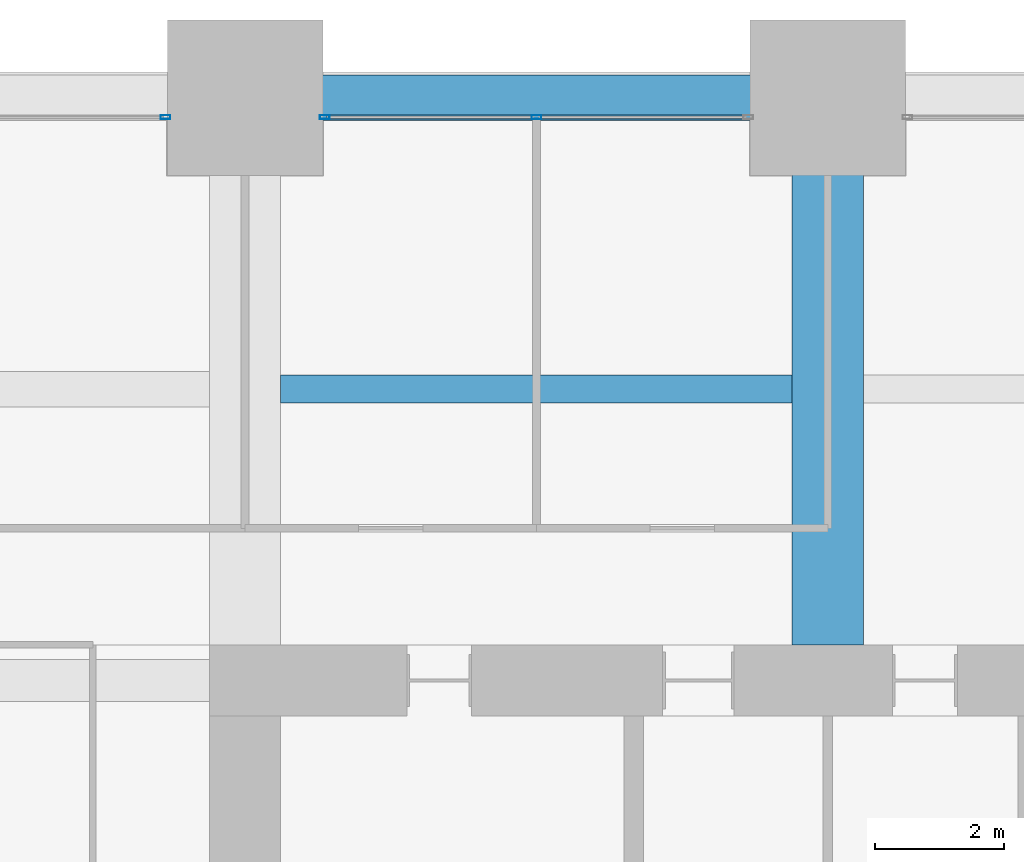
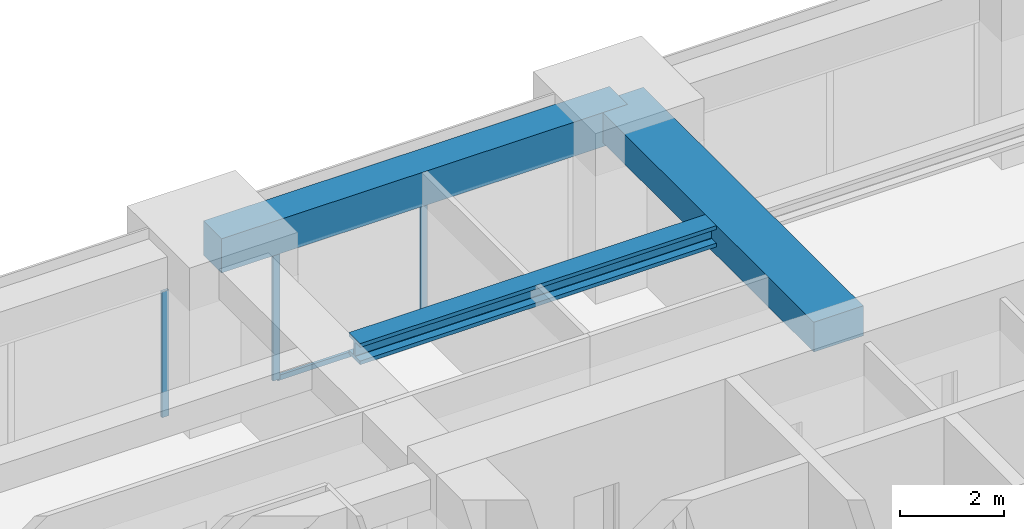
# One storey, part 28 of 41: 4 members, 3 beams, 2 elements without a shape of their own.
"""IFC4 building model written with IfcOpenShell, lengths in metres."""

from ifc_helpers import new_model, si_unit, direction, frame, origin, origin_2d, place, context, subcontext, project, spatial, rectangle, hollow_rectangle, i_section, extrude, material, material_profile, profile_set, type_object, element, aggregate, save


model = new_model("IFC4")

# Units and contexts
model_context = context("Model", 3, precision=1e-05, world=origin(), true_north=direction((0.0, 1.0)))
body_context = subcontext(model_context, "Body", "Model", "MODEL_VIEW")
ifc_project = project(units=[si_unit("LENGTHUNIT", "METRE"), si_unit("AREAUNIT", "SQUARE_METRE"), si_unit("VOLUMEUNIT", "CUBIC_METRE"), si_unit("PLANEANGLEUNIT", "RADIAN"), si_unit("MASSUNIT", "GRAM", prefix="KILO")], contexts=[model_context])

# Site, building, storey
site_placement = place(None, origin())
site = spatial("IfcSite", under=ifc_project, at=site_placement, CompositionType="ELEMENT")
building_placement = place(site_placement, origin())
building = spatial("IfcBuilding", under=site, at=building_placement, Name="Zorevar Civic Tower", CompositionType="ELEMENT")
storey_placement = place(building_placement, frame((0.0, 0.0, 97.0)))
storey = spatial("IfcBuildingStorey", under=building, at=storey_placement, Name="L23", CompositionType="ELEMENT", Elevation=97.0)

# Beam
ifc_material_1 = material(Name="Concrete C50/60", Category="concrete")
ifc_material_profile_1 = material_profile(ifc_material_1, rectangle(XDim=1.10009765625, YDim=0.699951171875, at=origin_2d()), Name="RC 1100x700")
ifc_profile_set_1 = profile_set([ifc_material_profile_1], Name="Concrete C50/60")
beam_type_1 = type_object("IfcBeamType", Name="Beam RC 1100x700", PredefinedType="BEAM", material=ifc_profile_set_1)
beam_1_placement = place(storey_placement, frame((27.0, 36.550048828125, 3.39990234375), z_axis=(0.0, 1.0, 0.0), x_axis=(-1.0, 0.0, 0.0)))
element("IfcBeam", 1, at=beam_1_placement, inside=storey, type_object=beam_type_1, Name="Girder L24", PredefinedType="BEAM", context=body_context, shape_type="SweptSolid", body=[
    extrude(rectangle(XDim=1.10009765625, YDim=0.699951171875, at=origin_2d()), origin(), (0.0, 0.0, 1.0), 8.449951171875),
])

# Curtain wall, member
ifc_material_2 = material(Name="Dark grey solar-control glass in black aluminium frame", Category="aluminium")
curtain_wall_type = type_object("IfcCurtainWallType", Name="Curtain wall CW3 mid zone", PredefinedType="NOTDEFINED", material=ifc_material_2)
curtain_wall_1_placement = place(storey_placement, origin())
curtain_wall_1 = element("IfcCurtainWall", 2, at=curtain_wall_1_placement, inside=storey, type_object=curtain_wall_type, Name="CW3 L23", PredefinedType="NOTDEFINED")
ifc_material_3 = material(Name="Aluminium, black anodised", Category="aluminium")
ifc_material_profile_2 = material_profile(ifc_material_3, hollow_rectangle(XDim=0.06005859375, YDim=0.14990234375, WallThickness=0.00390625, at=origin_2d()), Name="AL 150x60x4")
ifc_profile_set_2 = profile_set([ifc_material_profile_2], Name="Aluminium, black anodised")
member_type_1 = type_object("IfcMemberType", Name="CW3 mullion AL 150x60x4", PredefinedType="MULLION", material=ifc_profile_set_2)
member_1_placement = place(storey_placement, frame((16.77001953125, 44.699951171875, 0.0), z_axis=(0.0, 0.0, 1.0), x_axis=(0.0, 1.0, 0.0)))
member_1 = element("IfcMember", 3, at=member_1_placement, type_object=member_type_1, Name="CW3 mullion 3", PredefinedType="MULLION", context=body_context, shape_type="SweptSolid", body=[
    extrude(hollow_rectangle(XDim=0.06005859375, YDim=0.14990234375, WallThickness=0.00390625, at=origin_2d()), origin(), (0.0, 0.0, 1.0), 2.949951171875),
])
aggregate(curtain_wall_1, [member_1])

# Curtain wall, members
curtain_wall_2_placement = place(storey_placement, origin())
curtain_wall_2 = element("IfcCurtainWall", 4, at=curtain_wall_2_placement, inside=storey, type_object=curtain_wall_type, Name="CW3 L23", PredefinedType="NOTDEFINED")
member_2_placement = place(storey_placement, frame((19.22998046875, 44.699951171875, 0.0), z_axis=(0.0, 0.0, 1.0), x_axis=(0.0, 1.0, 0.0)))
member_2 = element("IfcMember", 5, at=member_2_placement, type_object=member_type_1, Name="CW3 mullion 1", PredefinedType="MULLION", context=body_context, shape_type="SweptSolid", body=[
    extrude(hollow_rectangle(XDim=0.06005859375, YDim=0.14990234375, WallThickness=0.00390625, at=origin_2d()), origin(), (0.0, 0.0, 1.0), 2.949951171875),
])
member_3_placement = place(storey_placement, frame((22.5, 44.699951171875, 0.06005859375), z_axis=(0.0, 0.0, 1.0), x_axis=(0.0, 1.0, 0.0)))
member_3 = element("IfcMember", 6, at=member_3_placement, type_object=member_type_1, Name="CW3 mullion 2", PredefinedType="MULLION", context=body_context, shape_type="SweptSolid", body=[
    extrude(hollow_rectangle(XDim=0.06005859375, YDim=0.14990234375, WallThickness=0.00390625, at=origin_2d()), origin(), (0.0, 0.0, 1.0), 2.889892578125),
])
ifc_material_4 = material(Name="Aluminium, black anodised", Category="aluminium")
ifc_material_profile_3 = material_profile(ifc_material_4, hollow_rectangle(XDim=0.06005859375, YDim=0.1201171875, WallThickness=0.0029296875, at=origin_2d()), Name="AL 120x60x3")
ifc_profile_set_3 = profile_set([ifc_material_profile_3], Name="Aluminium, black anodised")
member_type_2 = type_object("IfcMemberType", Name="CW3 transom AL 120x60x3", PredefinedType="USERDEFINED", material=ifc_profile_set_3)
member_4_placement = place(storey_placement, frame((19.260009765625, 44.699951171875, 0.030029296875), z_axis=(1.0, 0.0, 0.0), x_axis=(0.0, 1.0, 0.0)))
member_4 = element("IfcMember", 7, at=member_4_placement, type_object=member_type_2, Name="CW3 sill transom", ObjectType="TRANSOM", PredefinedType="USERDEFINED", context=body_context, shape_type="SweptSolid", body=[
    extrude(hollow_rectangle(XDim=0.06005859375, YDim=0.1201171875, WallThickness=0.0029296875, at=origin_2d()), origin(), (0.0, 0.0, 1.0), 6.47998046875),
])
aggregate(curtain_wall_2, [member_2, member_3, member_4])

# Beams
ifc_material_5 = material(Name="Steel S460M (HISTAR 460)", Category="steel")
ifc_material_profile_4 = material_profile(ifc_material_5, i_section(OverallWidth=0.431884765625, OverallDepth=0.498046875, WebThickness=0.0556640625, FlangeThickness=0.0888671875, FilletRadius=0.014892578125, at=origin_2d()), Name="HD 400x744")
ifc_profile_set_4 = profile_set([ifc_material_profile_4], Name="Steel S460M (HISTAR 460)")
beam_type_2 = type_object("IfcBeamType", Name="Core bay beam HD 400x744", PredefinedType="BEAM", material=ifc_profile_set_4)
beam_2_placement = place(storey_placement, frame((18.550048828125, 40.5, 3.5009765625), z_axis=(1.0, 0.0, 0.0), x_axis=(0.0, 1.0, 0.0)))
element("IfcBeam", 8, at=beam_2_placement, inside=storey, type_object=beam_type_2, Name="Secondary beam L24", PredefinedType="BEAM", context=body_context, shape_type="SweptSolid", body=[
    extrude(i_section(OverallWidth=0.431884765625, OverallDepth=0.498046875, WebThickness=0.0556640625, FlangeThickness=0.0888671875, FilletRadius=0.014892578125, at=origin_2d()), origin(), (0.0, 0.0, 1.0), 7.89990234375),
])
ifc_material_6 = material(Name="Concrete C50/60", Category="concrete")
ifc_material_profile_5 = material_profile(ifc_material_6, rectangle(XDim=0.699951171875, YDim=0.800048828125, at=origin_2d()), Name="RC 700x800")
ifc_profile_set_5 = profile_set([ifc_material_profile_5], Name="Concrete C50/60")
beam_type_3 = type_object("IfcBeamType", Name="Edge beam RC 700x800", PredefinedType="SPANDREL", material=ifc_profile_set_5)
beam_3_placement = place(storey_placement, frame((18.0, 45.0, 3.35009765625), z_axis=(1.0, 0.0, 0.0), x_axis=(0.0, 1.0, 0.0)))
element("IfcBeam", 9, at=beam_3_placement, inside=storey, type_object=beam_type_3, Name="Edge beam L24", PredefinedType="SPANDREL", context=body_context, shape_type="SweptSolid", body=[
    extrude(rectangle(XDim=0.699951171875, YDim=0.800048828125, at=origin_2d()), origin(), (0.0, 0.0, 1.0), 9.0),
])

save(model, "model.ifc")
